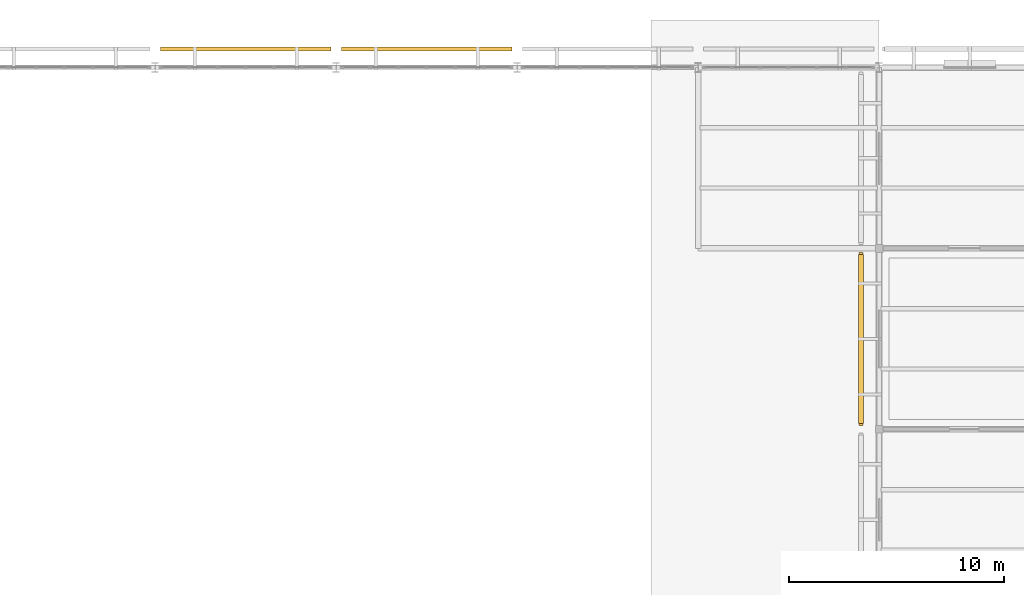
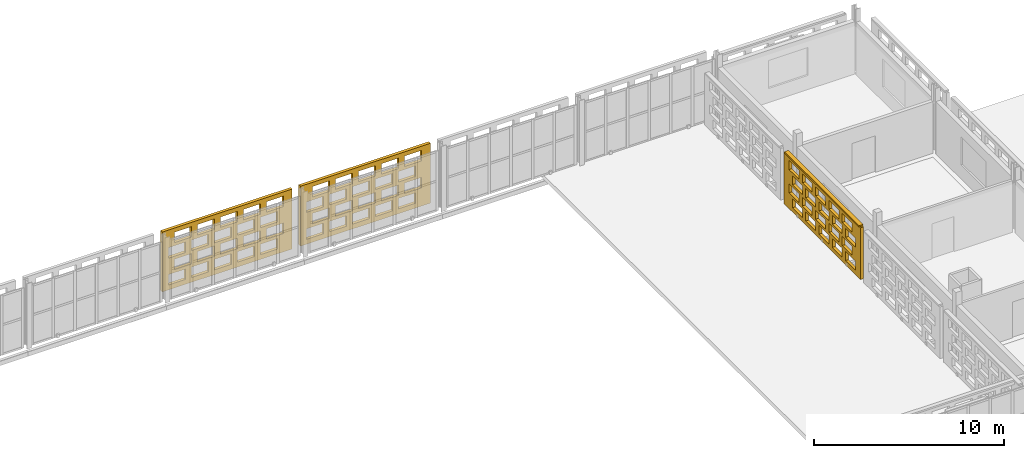
# One storey, part 128 of 140: 3 coverings, 1 shading device, 60 openings.
"""IFC4 building model written with IfcOpenShell, lengths in metres."""

from ifc_helpers import new_model, si_unit, direction, frame, frame_2d, origin, origin_2d, place, context, subcontext, project, spatial, rectangle, extrude, material, layer, layer_set, type_object, element, save


model = new_model("IFC4")

# Units and contexts
model_context = context("Model", 3, precision=1e-05, world=origin(), true_north=direction((0.0, 1.0)))
body_context = subcontext(model_context, "Body", "Model", "MODEL_VIEW")
ifc_project = project(units=[si_unit("LENGTHUNIT", "METRE"), si_unit("AREAUNIT", "SQUARE_METRE"), si_unit("VOLUMEUNIT", "CUBIC_METRE"), si_unit("PLANEANGLEUNIT", "RADIAN"), si_unit("MASSUNIT", "GRAM", prefix="KILO")], contexts=[model_context])

# Site, building, storey
site_placement = place(None, origin())
site = spatial("IfcSite", under=ifc_project, at=site_placement, CompositionType="ELEMENT")
building_placement = place(site_placement, origin())
building = spatial("IfcBuilding", under=site, at=building_placement, Name="Varnapada Polytechnic", CompositionType="ELEMENT")
storey_placement = place(building_placement, frame((0.0, 0.0, 13.800048828125)))
storey = spatial("IfcBuildingStorey", under=building, at=storey_placement, Name="L03", CompositionType="ELEMENT", Elevation=13.800048828125)

# Covering, openings
ifc_material = material(Name="Earth-toned architectural terracotta screen block", Category="masonry")
ifc_layer_1 = layer(ifc_material, 0.1201171875)
ifc_layer_set_1 = layer_set([ifc_layer_1], Name="Earth-toned architectural terracotta screen block")
covering_type = type_object("IfcCoveringType", Name="Terracotta Screen Cladding CLD-01", PredefinedType="CLADDING", material=ifc_layer_set_1)
covering_1_placement = place(storey_placement, frame((125.14990234375, 109.3701171875, 0.0), z_axis=(0.0, 0.0, 1.0), x_axis=(0.0, 1.0, 0.0)))
covering_1 = element("IfcCovering", 1, at=covering_1_placement, inside=storey, type_object=covering_type, Name="L03 perforated terracotta block screen (74)", PredefinedType="CLADDING", context=body_context, shape_type="SweptSolid", body=[
    extrude(rectangle(XDim=8.0498046875, YDim=0.179931640625, at=frame_2d((4.02490234375, 0.0))), origin(), (0.0, 0.0, 1.0), 3.320068359375),
])
opening_1_placement = place(covering_1_placement, frame((0.52490234375, 0.0, 0.265625)))
element("IfcOpeningElement", 2, at=opening_1_placement, cuts=covering_1, Name="Screen perforation TBS-L03-073.1", PredefinedType="OPENING", context=body_context, shape_type="SweptSolid", body=[
    extrude(rectangle(XDim=1.0400390625, YDim=0.5810546875, at=frame_2d((0.52001953125, 0.29052734375))), frame((0.0, 0.099853515625, 0.0), z_axis=(0.0, -1.0, 0.0), x_axis=(1.0, 0.0, 0.0)), (0.0, 0.0, 1.0), 0.199951171875),
])
opening_2_placement = place(covering_1_placement, frame((1.925048828125, 0.0, 0.265625)))
element("IfcOpeningElement", 3, at=opening_2_placement, cuts=covering_1, Name="Screen perforation TBS-L03-073.2", PredefinedType="OPENING", context=body_context, shape_type="SweptSolid", body=[
    extrude(rectangle(XDim=1.0400390625, YDim=0.5810546875, at=frame_2d((0.52001953125, 0.29052734375))), frame((0.0, 0.099853515625, 0.0), z_axis=(0.0, -1.0, 0.0), x_axis=(1.0, 0.0, 0.0)), (0.0, 0.0, 1.0), 0.199951171875),
])
opening_3_placement = place(covering_1_placement, frame((3.324951171875, 0.0, 0.265625)))
element("IfcOpeningElement", 4, at=opening_3_placement, cuts=covering_1, Name="Screen perforation TBS-L03-073.3", PredefinedType="OPENING", context=body_context, shape_type="SweptSolid", body=[
    extrude(rectangle(XDim=1.0400390625, YDim=0.5810546875, at=frame_2d((0.52001953125, 0.29052734375))), frame((0.0, 0.099853515625, 0.0), z_axis=(0.0, -1.0, 0.0), x_axis=(1.0, 0.0, 0.0)), (0.0, 0.0, 1.0), 0.199951171875),
])
opening_4_placement = place(covering_1_placement, frame((4.72509765625, 0.0, 0.265625)))
element("IfcOpeningElement", 5, at=opening_4_placement, cuts=covering_1, Name="Screen perforation TBS-L03-073.4", PredefinedType="OPENING", context=body_context, shape_type="SweptSolid", body=[
    extrude(rectangle(XDim=1.0400390625, YDim=0.5810546875, at=frame_2d((0.52001953125, 0.29052734375))), frame((0.0, 0.099853515625, 0.0), z_axis=(0.0, -1.0, 0.0), x_axis=(1.0, 0.0, 0.0)), (0.0, 0.0, 1.0), 0.199951171875),
])
opening_5_placement = place(covering_1_placement, frame((6.125, 0.0, 0.265625)))
element("IfcOpeningElement", 6, at=opening_5_placement, cuts=covering_1, Name="Screen perforation TBS-L03-073.5", PredefinedType="OPENING", context=body_context, shape_type="SweptSolid", body=[
    extrude(rectangle(XDim=1.0400390625, YDim=0.5810546875, at=frame_2d((0.52001953125, 0.29052734375))), frame((0.0, 0.099853515625, 0.0), z_axis=(0.0, -1.0, 0.0), x_axis=(1.0, 0.0, 0.0)), (0.0, 0.0, 1.0), 0.199951171875),
])
opening_6_placement = place(covering_1_placement, frame((0.885009765625, 0.0, 1.0126953125)))
element("IfcOpeningElement", 7, at=opening_6_placement, cuts=covering_1, Name="Screen perforation TBS-L03-073.6", PredefinedType="OPENING", context=body_context, shape_type="SweptSolid", body=[
    extrude(rectangle(XDim=1.0400390625, YDim=0.5810546875, at=frame_2d((0.52001953125, 0.29052734375))), frame((0.0, 0.099853515625, 0.0), z_axis=(0.0, -1.0, 0.0), x_axis=(1.0, 0.0, 0.0)), (0.0, 0.0, 1.0), 0.199951171875),
])
opening_7_placement = place(covering_1_placement, frame((2.284912109375, 0.0, 1.0126953125)))
element("IfcOpeningElement", 8, at=opening_7_placement, cuts=covering_1, Name="Screen perforation TBS-L03-073.7", PredefinedType="OPENING", context=body_context, shape_type="SweptSolid", body=[
    extrude(rectangle(XDim=1.0400390625, YDim=0.5810546875, at=frame_2d((0.52001953125, 0.29052734375))), frame((0.0, 0.099853515625, 0.0), z_axis=(0.0, -1.0, 0.0), x_axis=(1.0, 0.0, 0.0)), (0.0, 0.0, 1.0), 0.199951171875),
])
opening_8_placement = place(covering_1_placement, frame((3.68505859375, 0.0, 1.0126953125)))
element("IfcOpeningElement", 9, at=opening_8_placement, cuts=covering_1, Name="Screen perforation TBS-L03-073.8", PredefinedType="OPENING", context=body_context, shape_type="SweptSolid", body=[
    extrude(rectangle(XDim=1.0400390625, YDim=0.5810546875, at=frame_2d((0.52001953125, 0.29052734375))), frame((0.0, 0.099853515625, 0.0), z_axis=(0.0, -1.0, 0.0), x_axis=(1.0, 0.0, 0.0)), (0.0, 0.0, 1.0), 0.199951171875),
])
opening_9_placement = place(covering_1_placement, frame((5.0849609375, 0.0, 1.0126953125)))
element("IfcOpeningElement", 10, at=opening_9_placement, cuts=covering_1, Name="Screen perforation TBS-L03-073.9", PredefinedType="OPENING", context=body_context, shape_type="SweptSolid", body=[
    extrude(rectangle(XDim=1.0400390625, YDim=0.5810546875, at=frame_2d((0.52001953125, 0.29052734375))), frame((0.0, 0.099853515625, 0.0), z_axis=(0.0, -1.0, 0.0), x_axis=(1.0, 0.0, 0.0)), (0.0, 0.0, 1.0), 0.199951171875),
])
opening_10_placement = place(covering_1_placement, frame((6.485107421875, 0.0, 1.0126953125)))
element("IfcOpeningElement", 11, at=opening_10_placement, cuts=covering_1, Name="Screen perforation TBS-L03-073.10", PredefinedType="OPENING", context=body_context, shape_type="SweptSolid", body=[
    extrude(rectangle(XDim=1.0400390625, YDim=0.5810546875, at=frame_2d((0.52001953125, 0.29052734375))), frame((0.0, 0.099853515625, 0.0), z_axis=(0.0, -1.0, 0.0), x_axis=(1.0, 0.0, 0.0)), (0.0, 0.0, 1.0), 0.199951171875),
])
opening_11_placement = place(covering_1_placement, frame((0.52490234375, 0.0, 1.759521484375)))
element("IfcOpeningElement", 12, at=opening_11_placement, cuts=covering_1, Name="Screen perforation TBS-L03-073.11", PredefinedType="OPENING", context=body_context, shape_type="SweptSolid", body=[
    extrude(rectangle(XDim=1.0400390625, YDim=0.5810546875, at=frame_2d((0.52001953125, 0.29052734375))), frame((0.0, 0.099853515625, 0.0), z_axis=(0.0, -1.0, 0.0), x_axis=(1.0, 0.0, 0.0)), (0.0, 0.0, 1.0), 0.199951171875),
])
opening_12_placement = place(covering_1_placement, frame((1.925048828125, 0.0, 1.759521484375)))
element("IfcOpeningElement", 13, at=opening_12_placement, cuts=covering_1, Name="Screen perforation TBS-L03-073.12", PredefinedType="OPENING", context=body_context, shape_type="SweptSolid", body=[
    extrude(rectangle(XDim=1.0400390625, YDim=0.5810546875, at=frame_2d((0.52001953125, 0.29052734375))), frame((0.0, 0.099853515625, 0.0), z_axis=(0.0, -1.0, 0.0), x_axis=(1.0, 0.0, 0.0)), (0.0, 0.0, 1.0), 0.199951171875),
])
opening_13_placement = place(covering_1_placement, frame((3.324951171875, 0.0, 1.759521484375)))
element("IfcOpeningElement", 14, at=opening_13_placement, cuts=covering_1, Name="Screen perforation TBS-L03-073.13", PredefinedType="OPENING", context=body_context, shape_type="SweptSolid", body=[
    extrude(rectangle(XDim=1.0400390625, YDim=0.5810546875, at=frame_2d((0.52001953125, 0.29052734375))), frame((0.0, 0.099853515625, 0.0), z_axis=(0.0, -1.0, 0.0), x_axis=(1.0, 0.0, 0.0)), (0.0, 0.0, 1.0), 0.199951171875),
])
opening_14_placement = place(covering_1_placement, frame((4.72509765625, 0.0, 1.759521484375)))
element("IfcOpeningElement", 15, at=opening_14_placement, cuts=covering_1, Name="Screen perforation TBS-L03-073.14", PredefinedType="OPENING", context=body_context, shape_type="SweptSolid", body=[
    extrude(rectangle(XDim=1.0400390625, YDim=0.5810546875, at=frame_2d((0.52001953125, 0.29052734375))), frame((0.0, 0.099853515625, 0.0), z_axis=(0.0, -1.0, 0.0), x_axis=(1.0, 0.0, 0.0)), (0.0, 0.0, 1.0), 0.199951171875),
])
opening_15_placement = place(covering_1_placement, frame((6.125, 0.0, 1.759521484375)))
element("IfcOpeningElement", 16, at=opening_15_placement, cuts=covering_1, Name="Screen perforation TBS-L03-073.15", PredefinedType="OPENING", context=body_context, shape_type="SweptSolid", body=[
    extrude(rectangle(XDim=1.0400390625, YDim=0.5810546875, at=frame_2d((0.52001953125, 0.29052734375))), frame((0.0, 0.099853515625, 0.0), z_axis=(0.0, -1.0, 0.0), x_axis=(1.0, 0.0, 0.0)), (0.0, 0.0, 1.0), 0.199951171875),
])
opening_16_placement = place(covering_1_placement, frame((0.885009765625, 0.0, 2.506591796875)))
element("IfcOpeningElement", 17, at=opening_16_placement, cuts=covering_1, Name="Screen perforation TBS-L03-073.16", PredefinedType="OPENING", context=body_context, shape_type="SweptSolid", body=[
    extrude(rectangle(XDim=1.0400390625, YDim=0.5810546875, at=frame_2d((0.52001953125, 0.29052734375))), frame((0.0, 0.099853515625, 0.0), z_axis=(0.0, -1.0, 0.0), x_axis=(1.0, 0.0, 0.0)), (0.0, 0.0, 1.0), 0.199951171875),
])
opening_17_placement = place(covering_1_placement, frame((2.284912109375, 0.0, 2.506591796875)))
element("IfcOpeningElement", 18, at=opening_17_placement, cuts=covering_1, Name="Screen perforation TBS-L03-073.17", PredefinedType="OPENING", context=body_context, shape_type="SweptSolid", body=[
    extrude(rectangle(XDim=1.0400390625, YDim=0.5810546875, at=frame_2d((0.52001953125, 0.29052734375))), frame((0.0, 0.099853515625, 0.0), z_axis=(0.0, -1.0, 0.0), x_axis=(1.0, 0.0, 0.0)), (0.0, 0.0, 1.0), 0.199951171875),
])
opening_18_placement = place(covering_1_placement, frame((3.68505859375, 0.0, 2.506591796875)))
element("IfcOpeningElement", 19, at=opening_18_placement, cuts=covering_1, Name="Screen perforation TBS-L03-073.18", PredefinedType="OPENING", context=body_context, shape_type="SweptSolid", body=[
    extrude(rectangle(XDim=1.0400390625, YDim=0.5810546875, at=frame_2d((0.52001953125, 0.29052734375))), frame((0.0, 0.099853515625, 0.0), z_axis=(0.0, -1.0, 0.0), x_axis=(1.0, 0.0, 0.0)), (0.0, 0.0, 1.0), 0.199951171875),
])
opening_19_placement = place(covering_1_placement, frame((5.0849609375, 0.0, 2.506591796875)))
element("IfcOpeningElement", 20, at=opening_19_placement, cuts=covering_1, Name="Screen perforation TBS-L03-073.19", PredefinedType="OPENING", context=body_context, shape_type="SweptSolid", body=[
    extrude(rectangle(XDim=1.0400390625, YDim=0.5810546875, at=frame_2d((0.52001953125, 0.29052734375))), frame((0.0, 0.099853515625, 0.0), z_axis=(0.0, -1.0, 0.0), x_axis=(1.0, 0.0, 0.0)), (0.0, 0.0, 1.0), 0.199951171875),
])
opening_20_placement = place(covering_1_placement, frame((6.485107421875, 0.0, 2.506591796875)))
element("IfcOpeningElement", 21, at=opening_20_placement, cuts=covering_1, Name="Screen perforation TBS-L03-073.20", PredefinedType="OPENING", context=body_context, shape_type="SweptSolid", body=[
    extrude(rectangle(XDim=1.0400390625, YDim=0.5810546875, at=frame_2d((0.52001953125, 0.29052734375))), frame((0.0, 0.099853515625, 0.0), z_axis=(0.0, -1.0, 0.0), x_axis=(1.0, 0.0, 0.0)), (0.0, 0.0, 1.0), 0.199951171875),
])

covering_2_placement = place(storey_placement, frame((92.64990234375, 126.85009765625, 0.0), z_axis=(0.0, 0.0, 1.0), x_axis=(1.0, 0.0, 0.0)))
covering_2 = element("IfcCovering", 22, at=covering_2_placement, inside=storey, type_object=covering_type, Name="L03 high-bay workshop north terracotta screen 12", PredefinedType="CLADDING", context=body_context, shape_type="SweptSolid", body=[
    extrude(rectangle(XDim=7.900146484375, YDim=0.179931640625, at=frame_2d((3.9501953125, 0.0))), origin(), (0.0, 0.0, 1.0), 3.849853515625),
])
opening_21_placement = place(covering_2_placement, frame((0.3701171875, 0.0, 0.30810546875)))
element("IfcOpeningElement", 23, at=opening_21_placement, cuts=covering_2, Name="Screen perforation TBS-WK-L03-11.1", PredefinedType="OPENING", context=body_context, shape_type="SweptSolid", body=[
    extrude(rectangle(XDim=1.0400390625, YDim=0.673583984375, at=frame_2d((0.52001953125, 0.3369140625))), frame((0.0, 0.099853515625, 0.0), z_axis=(0.0, -1.0, 0.0), x_axis=(1.0, 0.0, 0.0)), (0.0, 0.0, 1.0), 0.199951171875),
])
opening_22_placement = place(covering_2_placement, frame((1.77001953125, 0.0, 0.30810546875)))
element("IfcOpeningElement", 24, at=opening_22_placement, cuts=covering_2, Name="Screen perforation TBS-WK-L03-11.2", PredefinedType="OPENING", context=body_context, shape_type="SweptSolid", body=[
    extrude(rectangle(XDim=1.0400390625, YDim=0.673583984375, at=frame_2d((0.52001953125, 0.3369140625))), frame((0.0, 0.099853515625, 0.0), z_axis=(0.0, -1.0, 0.0), x_axis=(1.0, 0.0, 0.0)), (0.0, 0.0, 1.0), 0.199951171875),
])
opening_23_placement = place(covering_2_placement, frame((3.169921875, 0.0, 0.30810546875)))
element("IfcOpeningElement", 25, at=opening_23_placement, cuts=covering_2, Name="Screen perforation TBS-WK-L03-11.3", PredefinedType="OPENING", context=body_context, shape_type="SweptSolid", body=[
    extrude(rectangle(XDim=1.0400390625, YDim=0.673583984375, at=frame_2d((0.52001953125, 0.3369140625))), frame((0.0, 0.099853515625, 0.0), z_axis=(0.0, -1.0, 0.0), x_axis=(1.0, 0.0, 0.0)), (0.0, 0.0, 1.0), 0.199951171875),
])
opening_24_placement = place(covering_2_placement, frame((4.570068359375, 0.0, 0.30810546875)))
element("IfcOpeningElement", 26, at=opening_24_placement, cuts=covering_2, Name="Screen perforation TBS-WK-L03-11.4", PredefinedType="OPENING", context=body_context, shape_type="SweptSolid", body=[
    extrude(rectangle(XDim=1.0400390625, YDim=0.673583984375, at=frame_2d((0.52001953125, 0.3369140625))), frame((0.0, 0.099853515625, 0.0), z_axis=(0.0, -1.0, 0.0), x_axis=(1.0, 0.0, 0.0)), (0.0, 0.0, 1.0), 0.199951171875),
])
opening_25_placement = place(covering_2_placement, frame((5.969970703125, 0.0, 0.30810546875)))
element("IfcOpeningElement", 27, at=opening_25_placement, cuts=covering_2, Name="Screen perforation TBS-WK-L03-11.5", PredefinedType="OPENING", context=body_context, shape_type="SweptSolid", body=[
    extrude(rectangle(XDim=1.0400390625, YDim=0.673583984375, at=frame_2d((0.52001953125, 0.3369140625))), frame((0.0, 0.099853515625, 0.0), z_axis=(0.0, -1.0, 0.0), x_axis=(1.0, 0.0, 0.0)), (0.0, 0.0, 1.0), 0.199951171875),
])
opening_26_placement = place(covering_2_placement, frame((0.72998046875, 0.0, 1.17431640625)))
element("IfcOpeningElement", 28, at=opening_26_placement, cuts=covering_2, Name="Screen perforation TBS-WK-L03-11.6", PredefinedType="OPENING", context=body_context, shape_type="SweptSolid", body=[
    extrude(rectangle(XDim=1.0400390625, YDim=0.673583984375, at=frame_2d((0.52001953125, 0.3369140625))), frame((0.0, 0.099853515625, 0.0), z_axis=(0.0, -1.0, 0.0), x_axis=(1.0, 0.0, 0.0)), (0.0, 0.0, 1.0), 0.199951171875),
])
opening_27_placement = place(covering_2_placement, frame((2.1298828125, 0.0, 1.17431640625)))
element("IfcOpeningElement", 29, at=opening_27_placement, cuts=covering_2, Name="Screen perforation TBS-WK-L03-11.7", PredefinedType="OPENING", context=body_context, shape_type="SweptSolid", body=[
    extrude(rectangle(XDim=1.0400390625, YDim=0.673583984375, at=frame_2d((0.52001953125, 0.3369140625))), frame((0.0, 0.099853515625, 0.0), z_axis=(0.0, -1.0, 0.0), x_axis=(1.0, 0.0, 0.0)), (0.0, 0.0, 1.0), 0.199951171875),
])
opening_28_placement = place(covering_2_placement, frame((3.530029296875, 0.0, 1.17431640625)))
element("IfcOpeningElement", 30, at=opening_28_placement, cuts=covering_2, Name="Screen perforation TBS-WK-L03-11.8", PredefinedType="OPENING", context=body_context, shape_type="SweptSolid", body=[
    extrude(rectangle(XDim=1.0400390625, YDim=0.673583984375, at=frame_2d((0.52001953125, 0.3369140625))), frame((0.0, 0.099853515625, 0.0), z_axis=(0.0, -1.0, 0.0), x_axis=(1.0, 0.0, 0.0)), (0.0, 0.0, 1.0), 0.199951171875),
])
opening_29_placement = place(covering_2_placement, frame((4.929931640625, 0.0, 1.17431640625)))
element("IfcOpeningElement", 31, at=opening_29_placement, cuts=covering_2, Name="Screen perforation TBS-WK-L03-11.9", PredefinedType="OPENING", context=body_context, shape_type="SweptSolid", body=[
    extrude(rectangle(XDim=1.0400390625, YDim=0.673583984375, at=frame_2d((0.52001953125, 0.3369140625))), frame((0.0, 0.099853515625, 0.0), z_axis=(0.0, -1.0, 0.0), x_axis=(1.0, 0.0, 0.0)), (0.0, 0.0, 1.0), 0.199951171875),
])
opening_30_placement = place(covering_2_placement, frame((6.330078125, 0.0, 1.17431640625)))
element("IfcOpeningElement", 32, at=opening_30_placement, cuts=covering_2, Name="Screen perforation TBS-WK-L03-11.10", PredefinedType="OPENING", context=body_context, shape_type="SweptSolid", body=[
    extrude(rectangle(XDim=1.0400390625, YDim=0.673583984375, at=frame_2d((0.52001953125, 0.3369140625))), frame((0.0, 0.099853515625, 0.0), z_axis=(0.0, -1.0, 0.0), x_axis=(1.0, 0.0, 0.0)), (0.0, 0.0, 1.0), 0.199951171875),
])
opening_31_placement = place(covering_2_placement, frame((0.3701171875, 0.0, 2.04052734375)))
element("IfcOpeningElement", 33, at=opening_31_placement, cuts=covering_2, Name="Screen perforation TBS-WK-L03-11.11", PredefinedType="OPENING", context=body_context, shape_type="SweptSolid", body=[
    extrude(rectangle(XDim=1.0400390625, YDim=0.673583984375, at=frame_2d((0.52001953125, 0.3369140625))), frame((0.0, 0.099853515625, 0.0), z_axis=(0.0, -1.0, 0.0), x_axis=(1.0, 0.0, 0.0)), (0.0, 0.0, 1.0), 0.199951171875),
])
opening_32_placement = place(covering_2_placement, frame((1.77001953125, 0.0, 2.04052734375)))
element("IfcOpeningElement", 34, at=opening_32_placement, cuts=covering_2, Name="Screen perforation TBS-WK-L03-11.12", PredefinedType="OPENING", context=body_context, shape_type="SweptSolid", body=[
    extrude(rectangle(XDim=1.0400390625, YDim=0.673583984375, at=frame_2d((0.52001953125, 0.3369140625))), frame((0.0, 0.099853515625, 0.0), z_axis=(0.0, -1.0, 0.0), x_axis=(1.0, 0.0, 0.0)), (0.0, 0.0, 1.0), 0.199951171875),
])
opening_33_placement = place(covering_2_placement, frame((3.169921875, 0.0, 2.04052734375)))
element("IfcOpeningElement", 35, at=opening_33_placement, cuts=covering_2, Name="Screen perforation TBS-WK-L03-11.13", PredefinedType="OPENING", context=body_context, shape_type="SweptSolid", body=[
    extrude(rectangle(XDim=1.0400390625, YDim=0.673583984375, at=frame_2d((0.52001953125, 0.3369140625))), frame((0.0, 0.099853515625, 0.0), z_axis=(0.0, -1.0, 0.0), x_axis=(1.0, 0.0, 0.0)), (0.0, 0.0, 1.0), 0.199951171875),
])
opening_34_placement = place(covering_2_placement, frame((4.570068359375, 0.0, 2.04052734375)))
element("IfcOpeningElement", 36, at=opening_34_placement, cuts=covering_2, Name="Screen perforation TBS-WK-L03-11.14", PredefinedType="OPENING", context=body_context, shape_type="SweptSolid", body=[
    extrude(rectangle(XDim=1.0400390625, YDim=0.673583984375, at=frame_2d((0.52001953125, 0.3369140625))), frame((0.0, 0.099853515625, 0.0), z_axis=(0.0, -1.0, 0.0), x_axis=(1.0, 0.0, 0.0)), (0.0, 0.0, 1.0), 0.199951171875),
])
opening_35_placement = place(covering_2_placement, frame((5.969970703125, 0.0, 2.04052734375)))
element("IfcOpeningElement", 37, at=opening_35_placement, cuts=covering_2, Name="Screen perforation TBS-WK-L03-11.15", PredefinedType="OPENING", context=body_context, shape_type="SweptSolid", body=[
    extrude(rectangle(XDim=1.0400390625, YDim=0.673583984375, at=frame_2d((0.52001953125, 0.3369140625))), frame((0.0, 0.099853515625, 0.0), z_axis=(0.0, -1.0, 0.0), x_axis=(1.0, 0.0, 0.0)), (0.0, 0.0, 1.0), 0.199951171875),
])
opening_36_placement = place(covering_2_placement, frame((0.72998046875, 0.0, 2.90673828125)))
element("IfcOpeningElement", 38, at=opening_36_placement, cuts=covering_2, Name="Screen perforation TBS-WK-L03-11.16", PredefinedType="OPENING", context=body_context, shape_type="SweptSolid", body=[
    extrude(rectangle(XDim=1.0400390625, YDim=0.673583984375, at=frame_2d((0.52001953125, 0.3369140625))), frame((0.0, 0.099853515625, 0.0), z_axis=(0.0, -1.0, 0.0), x_axis=(1.0, 0.0, 0.0)), (0.0, 0.0, 1.0), 0.199951171875),
])
opening_37_placement = place(covering_2_placement, frame((2.1298828125, 0.0, 2.90673828125)))
element("IfcOpeningElement", 39, at=opening_37_placement, cuts=covering_2, Name="Screen perforation TBS-WK-L03-11.17", PredefinedType="OPENING", context=body_context, shape_type="SweptSolid", body=[
    extrude(rectangle(XDim=1.0400390625, YDim=0.673583984375, at=frame_2d((0.52001953125, 0.3369140625))), frame((0.0, 0.099853515625, 0.0), z_axis=(0.0, -1.0, 0.0), x_axis=(1.0, 0.0, 0.0)), (0.0, 0.0, 1.0), 0.199951171875),
])
opening_38_placement = place(covering_2_placement, frame((3.530029296875, 0.0, 2.90673828125)))
element("IfcOpeningElement", 40, at=opening_38_placement, cuts=covering_2, Name="Screen perforation TBS-WK-L03-11.18", PredefinedType="OPENING", context=body_context, shape_type="SweptSolid", body=[
    extrude(rectangle(XDim=1.0400390625, YDim=0.673583984375, at=frame_2d((0.52001953125, 0.3369140625))), frame((0.0, 0.099853515625, 0.0), z_axis=(0.0, -1.0, 0.0), x_axis=(1.0, 0.0, 0.0)), (0.0, 0.0, 1.0), 0.199951171875),
])
opening_39_placement = place(covering_2_placement, frame((4.929931640625, 0.0, 2.90673828125)))
element("IfcOpeningElement", 41, at=opening_39_placement, cuts=covering_2, Name="Screen perforation TBS-WK-L03-11.19", PredefinedType="OPENING", context=body_context, shape_type="SweptSolid", body=[
    extrude(rectangle(XDim=1.0400390625, YDim=0.673583984375, at=frame_2d((0.52001953125, 0.3369140625))), frame((0.0, 0.099853515625, 0.0), z_axis=(0.0, -1.0, 0.0), x_axis=(1.0, 0.0, 0.0)), (0.0, 0.0, 1.0), 0.199951171875),
])
opening_40_placement = place(covering_2_placement, frame((6.330078125, 0.0, 2.90673828125)))
element("IfcOpeningElement", 42, at=opening_40_placement, cuts=covering_2, Name="Screen perforation TBS-WK-L03-11.20", PredefinedType="OPENING", context=body_context, shape_type="SweptSolid", body=[
    extrude(rectangle(XDim=1.0400390625, YDim=0.673583984375, at=frame_2d((0.52001953125, 0.3369140625))), frame((0.0, 0.099853515625, 0.0), z_axis=(0.0, -1.0, 0.0), x_axis=(1.0, 0.0, 0.0)), (0.0, 0.0, 1.0), 0.199951171875),
])

covering_3_placement = place(storey_placement, frame((101.050048828125, 126.85009765625, 0.0), z_axis=(0.0, 0.0, 1.0), x_axis=(1.0, 0.0, 0.0)))
covering_3 = element("IfcCovering", 43, at=covering_3_placement, inside=storey, type_object=covering_type, Name="L03 high-bay workshop north terracotta screen 13", PredefinedType="CLADDING", context=body_context, shape_type="SweptSolid", body=[
    extrude(rectangle(XDim=7.89990234375, YDim=0.179931640625, at=frame_2d((3.949951171875, 0.0))), origin(), (0.0, 0.0, 1.0), 3.849853515625),
])
opening_41_placement = place(covering_3_placement, frame((0.3701171875, 0.0, 0.30810546875)))
element("IfcOpeningElement", 44, at=opening_41_placement, cuts=covering_3, Name="Screen perforation TBS-WK-L03-12.1", PredefinedType="OPENING", context=body_context, shape_type="SweptSolid", body=[
    extrude(rectangle(XDim=1.0400390625, YDim=0.673583984375, at=frame_2d((0.52001953125, 0.3369140625))), frame((0.0, 0.099853515625, 0.0), z_axis=(0.0, -1.0, 0.0), x_axis=(1.0, 0.0, 0.0)), (0.0, 0.0, 1.0), 0.199951171875),
])
opening_42_placement = place(covering_3_placement, frame((1.77001953125, 0.0, 0.30810546875)))
element("IfcOpeningElement", 45, at=opening_42_placement, cuts=covering_3, Name="Screen perforation TBS-WK-L03-12.2", PredefinedType="OPENING", context=body_context, shape_type="SweptSolid", body=[
    extrude(rectangle(XDim=1.0400390625, YDim=0.673583984375, at=frame_2d((0.52001953125, 0.3369140625))), frame((0.0, 0.099853515625, 0.0), z_axis=(0.0, -1.0, 0.0), x_axis=(1.0, 0.0, 0.0)), (0.0, 0.0, 1.0), 0.199951171875),
])
opening_43_placement = place(covering_3_placement, frame((3.169921875, 0.0, 0.30810546875)))
element("IfcOpeningElement", 46, at=opening_43_placement, cuts=covering_3, Name="Screen perforation TBS-WK-L03-12.3", PredefinedType="OPENING", context=body_context, shape_type="SweptSolid", body=[
    extrude(rectangle(XDim=1.0400390625, YDim=0.673583984375, at=frame_2d((0.52001953125, 0.3369140625))), frame((0.0, 0.099853515625, 0.0), z_axis=(0.0, -1.0, 0.0), x_axis=(1.0, 0.0, 0.0)), (0.0, 0.0, 1.0), 0.199951171875),
])
opening_44_placement = place(covering_3_placement, frame((4.570068359375, 0.0, 0.30810546875)))
element("IfcOpeningElement", 47, at=opening_44_placement, cuts=covering_3, Name="Screen perforation TBS-WK-L03-12.4", PredefinedType="OPENING", context=body_context, shape_type="SweptSolid", body=[
    extrude(rectangle(XDim=1.0400390625, YDim=0.673583984375, at=frame_2d((0.52001953125, 0.3369140625))), frame((0.0, 0.099853515625, 0.0), z_axis=(0.0, -1.0, 0.0), x_axis=(1.0, 0.0, 0.0)), (0.0, 0.0, 1.0), 0.199951171875),
])
opening_45_placement = place(covering_3_placement, frame((5.969970703125, 0.0, 0.30810546875)))
element("IfcOpeningElement", 48, at=opening_45_placement, cuts=covering_3, Name="Screen perforation TBS-WK-L03-12.5", PredefinedType="OPENING", context=body_context, shape_type="SweptSolid", body=[
    extrude(rectangle(XDim=1.0400390625, YDim=0.673583984375, at=frame_2d((0.52001953125, 0.3369140625))), frame((0.0, 0.099853515625, 0.0), z_axis=(0.0, -1.0, 0.0), x_axis=(1.0, 0.0, 0.0)), (0.0, 0.0, 1.0), 0.199951171875),
])
opening_46_placement = place(covering_3_placement, frame((0.72998046875, 0.0, 1.17431640625)))
element("IfcOpeningElement", 49, at=opening_46_placement, cuts=covering_3, Name="Screen perforation TBS-WK-L03-12.6", PredefinedType="OPENING", context=body_context, shape_type="SweptSolid", body=[
    extrude(rectangle(XDim=1.0400390625, YDim=0.673583984375, at=frame_2d((0.52001953125, 0.3369140625))), frame((0.0, 0.099853515625, 0.0), z_axis=(0.0, -1.0, 0.0), x_axis=(1.0, 0.0, 0.0)), (0.0, 0.0, 1.0), 0.199951171875),
])
opening_47_placement = place(covering_3_placement, frame((2.1298828125, 0.0, 1.17431640625)))
element("IfcOpeningElement", 50, at=opening_47_placement, cuts=covering_3, Name="Screen perforation TBS-WK-L03-12.7", PredefinedType="OPENING", context=body_context, shape_type="SweptSolid", body=[
    extrude(rectangle(XDim=1.0400390625, YDim=0.673583984375, at=frame_2d((0.52001953125, 0.3369140625))), frame((0.0, 0.099853515625, 0.0), z_axis=(0.0, -1.0, 0.0), x_axis=(1.0, 0.0, 0.0)), (0.0, 0.0, 1.0), 0.199951171875),
])
opening_48_placement = place(covering_3_placement, frame((3.530029296875, 0.0, 1.17431640625)))
element("IfcOpeningElement", 51, at=opening_48_placement, cuts=covering_3, Name="Screen perforation TBS-WK-L03-12.8", PredefinedType="OPENING", context=body_context, shape_type="SweptSolid", body=[
    extrude(rectangle(XDim=1.0400390625, YDim=0.673583984375, at=frame_2d((0.52001953125, 0.3369140625))), frame((0.0, 0.099853515625, 0.0), z_axis=(0.0, -1.0, 0.0), x_axis=(1.0, 0.0, 0.0)), (0.0, 0.0, 1.0), 0.199951171875),
])
opening_49_placement = place(covering_3_placement, frame((4.929931640625, 0.0, 1.17431640625)))
element("IfcOpeningElement", 52, at=opening_49_placement, cuts=covering_3, Name="Screen perforation TBS-WK-L03-12.9", PredefinedType="OPENING", context=body_context, shape_type="SweptSolid", body=[
    extrude(rectangle(XDim=1.0400390625, YDim=0.673583984375, at=frame_2d((0.52001953125, 0.3369140625))), frame((0.0, 0.099853515625, 0.0), z_axis=(0.0, -1.0, 0.0), x_axis=(1.0, 0.0, 0.0)), (0.0, 0.0, 1.0), 0.199951171875),
])
opening_50_placement = place(covering_3_placement, frame((6.330078125, 0.0, 1.17431640625)))
element("IfcOpeningElement", 53, at=opening_50_placement, cuts=covering_3, Name="Screen perforation TBS-WK-L03-12.10", PredefinedType="OPENING", context=body_context, shape_type="SweptSolid", body=[
    extrude(rectangle(XDim=1.0400390625, YDim=0.673583984375, at=frame_2d((0.52001953125, 0.3369140625))), frame((0.0, 0.099853515625, 0.0), z_axis=(0.0, -1.0, 0.0), x_axis=(1.0, 0.0, 0.0)), (0.0, 0.0, 1.0), 0.199951171875),
])
opening_51_placement = place(covering_3_placement, frame((0.3701171875, 0.0, 2.04052734375)))
element("IfcOpeningElement", 54, at=opening_51_placement, cuts=covering_3, Name="Screen perforation TBS-WK-L03-12.11", PredefinedType="OPENING", context=body_context, shape_type="SweptSolid", body=[
    extrude(rectangle(XDim=1.0400390625, YDim=0.673583984375, at=frame_2d((0.52001953125, 0.3369140625))), frame((0.0, 0.099853515625, 0.0), z_axis=(0.0, -1.0, 0.0), x_axis=(1.0, 0.0, 0.0)), (0.0, 0.0, 1.0), 0.199951171875),
])
opening_52_placement = place(covering_3_placement, frame((1.77001953125, 0.0, 2.04052734375)))
element("IfcOpeningElement", 55, at=opening_52_placement, cuts=covering_3, Name="Screen perforation TBS-WK-L03-12.12", PredefinedType="OPENING", context=body_context, shape_type="SweptSolid", body=[
    extrude(rectangle(XDim=1.0400390625, YDim=0.673583984375, at=frame_2d((0.52001953125, 0.3369140625))), frame((0.0, 0.099853515625, 0.0), z_axis=(0.0, -1.0, 0.0), x_axis=(1.0, 0.0, 0.0)), (0.0, 0.0, 1.0), 0.199951171875),
])
opening_53_placement = place(covering_3_placement, frame((3.169921875, 0.0, 2.04052734375)))
element("IfcOpeningElement", 56, at=opening_53_placement, cuts=covering_3, Name="Screen perforation TBS-WK-L03-12.13", PredefinedType="OPENING", context=body_context, shape_type="SweptSolid", body=[
    extrude(rectangle(XDim=1.0400390625, YDim=0.673583984375, at=frame_2d((0.52001953125, 0.3369140625))), frame((0.0, 0.099853515625, 0.0), z_axis=(0.0, -1.0, 0.0), x_axis=(1.0, 0.0, 0.0)), (0.0, 0.0, 1.0), 0.199951171875),
])
opening_54_placement = place(covering_3_placement, frame((4.570068359375, 0.0, 2.04052734375)))
element("IfcOpeningElement", 57, at=opening_54_placement, cuts=covering_3, Name="Screen perforation TBS-WK-L03-12.14", PredefinedType="OPENING", context=body_context, shape_type="SweptSolid", body=[
    extrude(rectangle(XDim=1.0400390625, YDim=0.673583984375, at=frame_2d((0.52001953125, 0.3369140625))), frame((0.0, 0.099853515625, 0.0), z_axis=(0.0, -1.0, 0.0), x_axis=(1.0, 0.0, 0.0)), (0.0, 0.0, 1.0), 0.199951171875),
])
opening_55_placement = place(covering_3_placement, frame((5.969970703125, 0.0, 2.04052734375)))
element("IfcOpeningElement", 58, at=opening_55_placement, cuts=covering_3, Name="Screen perforation TBS-WK-L03-12.15", PredefinedType="OPENING", context=body_context, shape_type="SweptSolid", body=[
    extrude(rectangle(XDim=1.0400390625, YDim=0.673583984375, at=frame_2d((0.52001953125, 0.3369140625))), frame((0.0, 0.099853515625, 0.0), z_axis=(0.0, -1.0, 0.0), x_axis=(1.0, 0.0, 0.0)), (0.0, 0.0, 1.0), 0.199951171875),
])
opening_56_placement = place(covering_3_placement, frame((0.72998046875, 0.0, 2.90673828125)))
element("IfcOpeningElement", 59, at=opening_56_placement, cuts=covering_3, Name="Screen perforation TBS-WK-L03-12.16", PredefinedType="OPENING", context=body_context, shape_type="SweptSolid", body=[
    extrude(rectangle(XDim=1.0400390625, YDim=0.673583984375, at=frame_2d((0.52001953125, 0.3369140625))), frame((0.0, 0.099853515625, 0.0), z_axis=(0.0, -1.0, 0.0), x_axis=(1.0, 0.0, 0.0)), (0.0, 0.0, 1.0), 0.199951171875),
])
opening_57_placement = place(covering_3_placement, frame((2.1298828125, 0.0, 2.90673828125)))
element("IfcOpeningElement", 60, at=opening_57_placement, cuts=covering_3, Name="Screen perforation TBS-WK-L03-12.17", PredefinedType="OPENING", context=body_context, shape_type="SweptSolid", body=[
    extrude(rectangle(XDim=1.0400390625, YDim=0.673583984375, at=frame_2d((0.52001953125, 0.3369140625))), frame((0.0, 0.099853515625, 0.0), z_axis=(0.0, -1.0, 0.0), x_axis=(1.0, 0.0, 0.0)), (0.0, 0.0, 1.0), 0.199951171875),
])
opening_58_placement = place(covering_3_placement, frame((3.530029296875, 0.0, 2.90673828125)))
element("IfcOpeningElement", 61, at=opening_58_placement, cuts=covering_3, Name="Screen perforation TBS-WK-L03-12.18", PredefinedType="OPENING", context=body_context, shape_type="SweptSolid", body=[
    extrude(rectangle(XDim=1.0400390625, YDim=0.673583984375, at=frame_2d((0.52001953125, 0.3369140625))), frame((0.0, 0.099853515625, 0.0), z_axis=(0.0, -1.0, 0.0), x_axis=(1.0, 0.0, 0.0)), (0.0, 0.0, 1.0), 0.199951171875),
])
opening_59_placement = place(covering_3_placement, frame((4.929931640625, 0.0, 2.90673828125)))
element("IfcOpeningElement", 62, at=opening_59_placement, cuts=covering_3, Name="Screen perforation TBS-WK-L03-12.19", PredefinedType="OPENING", context=body_context, shape_type="SweptSolid", body=[
    extrude(rectangle(XDim=1.0400390625, YDim=0.673583984375, at=frame_2d((0.52001953125, 0.3369140625))), frame((0.0, 0.099853515625, 0.0), z_axis=(0.0, -1.0, 0.0), x_axis=(1.0, 0.0, 0.0)), (0.0, 0.0, 1.0), 0.199951171875),
])
opening_60_placement = place(covering_3_placement, frame((6.330078125, 0.0, 2.90673828125)))
element("IfcOpeningElement", 63, at=opening_60_placement, cuts=covering_3, Name="Screen perforation TBS-WK-L03-12.20", PredefinedType="OPENING", context=body_context, shape_type="SweptSolid", body=[
    extrude(rectangle(XDim=1.0400390625, YDim=0.673583984375, at=frame_2d((0.52001953125, 0.3369140625))), frame((0.0, 0.099853515625, 0.0), z_axis=(0.0, -1.0, 0.0), x_axis=(1.0, 0.0, 0.0)), (0.0, 0.0, 1.0), 0.199951171875),
])

# Shading device
ifc_layer_2 = layer(ifc_material, 0.179931640625)
ifc_layer_set_2 = layer_set([ifc_layer_2], Name="Earth-toned architectural terracotta screen block")
shading_device_type = type_object("IfcShadingDeviceType", Name="Terracotta Screen SCR-01", PredefinedType="USERDEFINED", material=ifc_layer_set_2)
shading_device_placement = place(storey_placement, frame((125.14990234375, 113.39501953125, 3.309814453125), z_axis=(0.0, 0.0, 1.0), x_axis=(0.0, 1.0, 0.0)))
element("IfcShadingDevice", 64, at=shading_device_placement, inside=storey, type_object=shading_device_type, Name="L03 perforated terracotta screen hood 401", ObjectType="SCREEN", PredefinedType="USERDEFINED", context=body_context, shape_type="SweptSolid", body=[
    extrude(rectangle(XDim=7.85009765625, YDim=0.239990234375, at=origin_2d()), origin(), (0.0, 0.0, 1.0), 0.10009765625),
])

save(model, "model.ifc")
